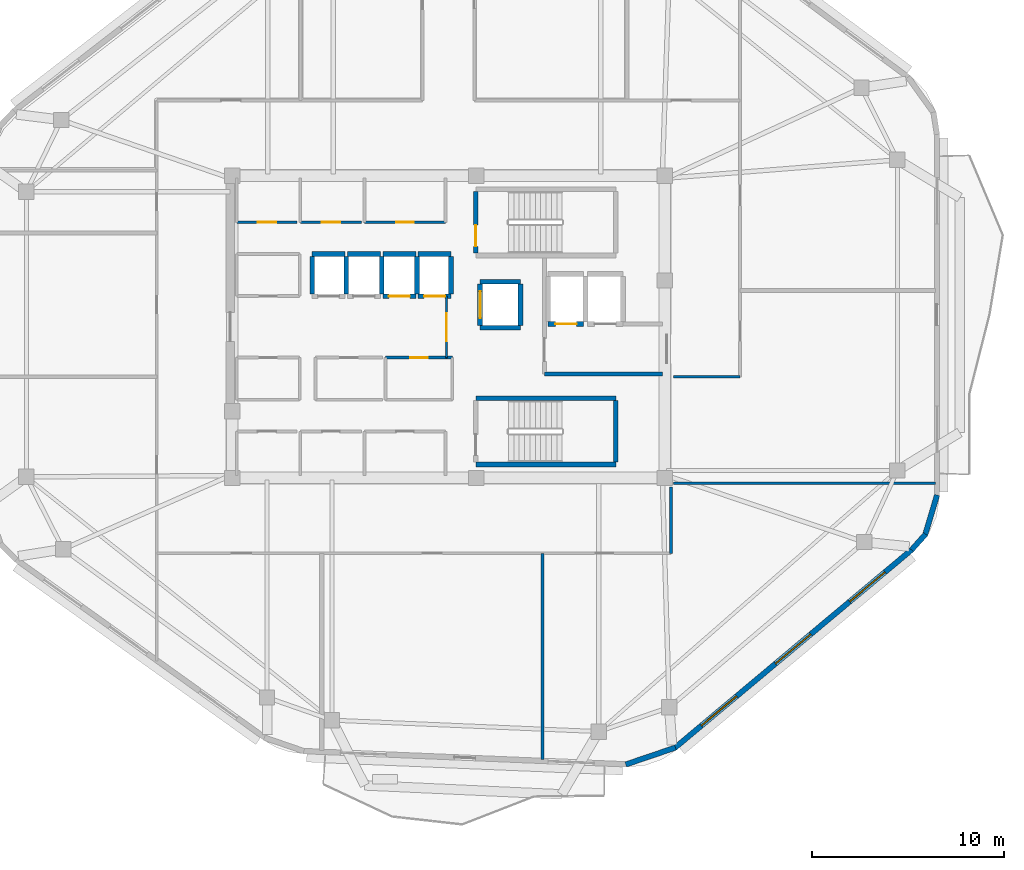
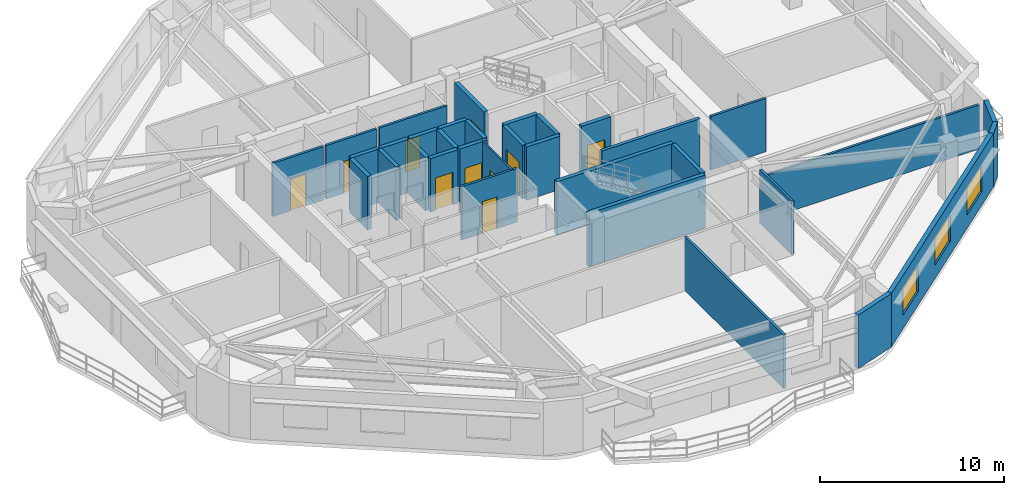
# One storey, part 7 of 12: 34 walls, 10 doors, 3 windows, 13 openings.
"""IFC4 building model written with IfcOpenShell, lengths in metres."""

from ifc_helpers import new_model, si_unit, direction, frame, frame_2d, origin, place, context, subcontext, project, spatial, rectangle, extrude, material, layer, layer_set, type_object, element, fill, save


model = new_model("IFC4")

# Units and contexts
model_context = context("Model", 3, precision=1e-05, world=origin(), true_north=direction((0.0, 1.0)))
body_context = subcontext(model_context, "Body", "Model", "MODEL_VIEW")
ifc_project = project(units=[si_unit("LENGTHUNIT", "METRE"), si_unit("AREAUNIT", "SQUARE_METRE"), si_unit("VOLUMEUNIT", "CUBIC_METRE"), si_unit("PLANEANGLEUNIT", "RADIAN"), si_unit("MASSUNIT", "GRAM", prefix="KILO")], contexts=[model_context])

# Site, building, storey
site_placement = place(None, origin())
site = spatial("IfcSite", under=ifc_project, at=site_placement, CompositionType="ELEMENT")
building_placement = place(site_placement, origin())
building = spatial("IfcBuilding", under=site, at=building_placement, Name="Zulverin Broadcast Headquarters", CompositionType="ELEMENT")
storey_placement = place(building_placement, frame((0.0, 0.0, 293.39990234375)))
storey = spatial("IfcBuildingStorey", under=building, at=storey_placement, Name="L75", CompositionType="ELEMENT", Elevation=293.39990234375)

# Wall, openings, windows
ifc_material_1 = material(Name="Insulated pale-metal clad concrete spandrel C40/50", Category="concrete")
ifc_layer_1 = layer(ifc_material_1, 0.280029296875, Name="Insulated pale-metal clad concrete spandrel C40/50", Category="concrete")
ifc_layer_set_1 = layer_set([ifc_layer_1], Name="Insulated pale-metal clad concrete spandrel C40/50")
wall_type_1 = type_object("IfcWallType", Name="WL-EXT-280", PredefinedType="STANDARD", material=ifc_layer_set_1)
wall_1_placement = place(storey_placement, frame((48.788818359375, 3.249755859375, 0.0), z_axis=(0.0, 0.0, 1.0), x_axis=(0.767032672101, 0.641608042288, 0.0)))
wall_1 = element("IfcWall", 1, at=wall_1_placement, inside=storey, type_object=wall_type_1, Name="L75 Pale-Metal Clad Spandrel Wall 2", PredefinedType="STANDARD", context=body_context, shape_type="SweptSolid", body=[
    extrude(rectangle(XDim=16.11328125, YDim=0.280029296875, at=frame_2d((8.056640625, 0.0))), origin(), (0.0, 0.0, 1.0), 3.5400390625),
])
opening_1_placement = place(wall_1_placement, frame((1.81884765625, 0.0, 0.89990234375)))
opening_1 = element("IfcOpeningElement", 2, at=opening_1_placement, cuts=wall_1, Name="Opening W-L75-E21", PredefinedType="OPENING", context=body_context, shape_type="SweptSolid", body=[
    extrude(rectangle(XDim=2.39990234375, YDim=1.75, at=frame_2d((1.199951171875, 0.875))), frame((0.0, 0.14990234375, 0.0), z_axis=(0.0, -1.0, 0.0), x_axis=(1.0, 0.0, 0.0)), (0.0, 0.0, 1.0), 0.300048828125),
])
opening_2_placement = place(wall_1_placement, frame((6.856689453125, 0.0, 0.89990234375)))
opening_2 = element("IfcOpeningElement", 3, at=opening_2_placement, cuts=wall_1, Name="Opening W-L75-E22", PredefinedType="OPENING", context=body_context, shape_type="SweptSolid", body=[
    extrude(rectangle(XDim=2.39990234375, YDim=1.75, at=frame_2d((1.199951171875, 0.875))), frame((0.0, 0.14990234375, 0.0), z_axis=(0.0, -1.0, 0.0), x_axis=(1.0, 0.0, 0.0)), (0.0, 0.0, 1.0), 0.300048828125),
])
opening_3_placement = place(wall_1_placement, frame((11.89453125, 0.0, 0.89990234375)))
opening_3 = element("IfcOpeningElement", 4, at=opening_3_placement, cuts=wall_1, Name="Opening W-L75-E23", PredefinedType="OPENING", context=body_context, shape_type="SweptSolid", body=[
    extrude(rectangle(XDim=2.39990234375, YDim=1.75, at=frame_2d((1.199951171875, 0.875))), frame((0.0, 0.14990234375, 0.0), z_axis=(0.0, -1.0, 0.0), x_axis=(1.0, 0.0, 0.0)), (0.0, 0.0, 1.0), 0.300048828125),
])
ifc_material_2 = material(Name="Pale anodized aluminium frame with solar-control low-E double glazing", Category="aluminium")
window_type = type_object("IfcWindowType", Name="WIN-RIB-2400", PartitioningType="SINGLE_PANEL", PredefinedType="WINDOW", material=ifc_material_2)
window_1_placement = place(opening_1_placement, origin())
window_1 = element("IfcWindow", 5, at=window_1_placement, inside=storey, type_object=window_type, Name="L75 Ribbon Glazing Window 2 1", OverallHeight=1.75, OverallWidth=2.39990234375, PartitioningType="SINGLE_PANEL", PredefinedType="WINDOW", context=body_context, shape_type="SweptSolid", body=[
    extrude(rectangle(XDim=2.39990234375, YDim=1.75, at=frame_2d((1.199951171875, 0.875))), frame((0.0, 0.030029296875, 0.0), z_axis=(0.0, -1.0, 0.0), x_axis=(1.0, 0.0, 0.0)), (0.0, 0.0, 1.0), 0.06005859375),
])
fill(opening_1, window_1)
window_2_placement = place(opening_2_placement, origin())
window_2 = element("IfcWindow", 6, at=window_2_placement, inside=storey, type_object=window_type, Name="L75 Ribbon Glazing Window 2 2", OverallHeight=1.75, OverallWidth=2.39990234375, PartitioningType="SINGLE_PANEL", PredefinedType="WINDOW", context=body_context, shape_type="SweptSolid", body=[
    extrude(rectangle(XDim=2.39990234375, YDim=1.75, at=frame_2d((1.199951171875, 0.875))), frame((0.0, 0.030029296875, 0.0), z_axis=(0.0, -1.0, 0.0), x_axis=(1.0, 0.0, 0.0)), (0.0, 0.0, 1.0), 0.06005859375),
])
fill(opening_2, window_2)
window_3_placement = place(opening_3_placement, origin())
window_3 = element("IfcWindow", 7, at=window_3_placement, inside=storey, type_object=window_type, Name="L75 Ribbon Glazing Window 2 3", OverallHeight=1.75, OverallWidth=2.39990234375, PartitioningType="SINGLE_PANEL", PredefinedType="WINDOW", context=body_context, shape_type="SweptSolid", body=[
    extrude(rectangle(XDim=2.39990234375, YDim=1.75, at=frame_2d((1.199951171875, 0.875))), frame((0.0, 0.030029296875, 0.0), z_axis=(0.0, -1.0, 0.0), x_axis=(1.0, 0.0, 0.0)), (0.0, 0.0, 1.0), 0.06005859375),
])
fill(opening_3, window_3)

# Walls
wall_2_placement = place(storey_placement, frame((46.239501953125, 2.392822265625, 0.0), z_axis=(0.0, 0.0, 1.0), x_axis=(0.946759165502, 0.321942669643, 0.0)))
element("IfcWall", 8, at=wall_2_placement, inside=storey, type_object=wall_type_1, Name="L75 Wind-Shaped Corner Spandrel Wall 1-1", PredefinedType="STANDARD", context=body_context, shape_type="SweptSolid", body=[
    extrude(rectangle(XDim=2.73974609375, YDim=0.280029296875, at=frame_2d((1.369873046875, 0.0))), origin(), (0.0, 0.0, 1.0), 3.5400390625),
])
wall_3_placement = place(storey_placement, frame((61.133544921875, 13.573974609375, 0.0), z_axis=(0.0, 0.0, 1.0), x_axis=(0.665804679247, 0.74612608123, 0.0)))
element("IfcWall", 9, at=wall_3_placement, inside=storey, type_object=wall_type_1, Name="L75 Wind-Shaped Corner Spandrel Wall 2-1", PredefinedType="STANDARD", context=body_context, shape_type="SweptSolid", body=[
    extrude(rectangle(XDim=1.103271484375, YDim=0.280029296875, at=frame_2d((0.5517578125, 0.0))), origin(), (0.0, 0.0, 1.0), 3.5400390625),
])
wall_4_placement = place(storey_placement, frame((61.838623046875, 14.34423828125, 0.0), z_axis=(0.0, 0.0, 1.0), x_axis=(0.287235049694, 0.957860128739, 0.0)))
element("IfcWall", 10, at=wall_4_placement, inside=storey, type_object=wall_type_1, Name="L75 Wind-Shaped Corner Spandrel Wall 2-2", PredefinedType="STANDARD", context=body_context, shape_type="SweptSolid", body=[
    extrude(rectangle(XDim=2.18359375, YDim=0.280029296875, at=frame_2d((1.091796875, 0.0))), origin(), (0.0, 0.0, 1.0), 3.5400390625),
])
ifc_material_3 = material(Name="Concrete C40/50", Category="concrete")
ifc_layer_2 = layer(ifc_material_3, 0.199951171875, Name="Concrete C40/50", Category="concrete")
ifc_layer_set_2 = layer_set([ifc_layer_2], Name="Concrete C40/50")
wall_type_2 = type_object("IfcWallType", Name="WL-FFL-200", PredefinedType="SOLIDWALL", material=ifc_layer_set_2)
wall_5_placement = place(storey_placement, frame((42.0, 22.75, 0.0), z_axis=(0.0, 0.0, 1.0), x_axis=(1.0, 0.0, 0.0)))
element("IfcWall", 11, at=wall_5_placement, inside=storey, type_object=wall_type_2, Name="L75 Firefighting Lift Lobby South Wall", PredefinedType="SOLIDWALL", context=body_context, shape_type="SweptSolid", body=[
    extrude(rectangle(XDim=6.14990234375, YDim=0.199951171875, at=frame_2d((3.074951171875, 0.0))), origin(), (0.0, 0.0, 1.0), 3.5400390625),
])

# Wall, opening, door
ifc_material_4 = material(Name="Fire-rated acoustic laminated glass screen", Category="glass")
ifc_layer_3 = layer(ifc_material_4, 0.10009765625, Name="Fire-rated acoustic laminated glass screen", Category="glass")
ifc_layer_set_3 = layer_set([ifc_layer_3], Name="Fire-rated acoustic laminated glass screen")
wall_type_3 = type_object("IfcWallType", Name="WL-GLAZ-100", PredefinedType="PARTITIONING", material=ifc_layer_set_3)
wall_6_placement = place(storey_placement, frame((36.89990234375, 23.60009765625, 0.0), z_axis=(0.0, 0.0, 1.0), x_axis=(0.0, 1.0, 0.0)))
wall_6 = element("IfcWall", 12, at=wall_6_placement, inside=storey, type_object=wall_type_3, Name="L75 Core Goods & Stair Hall Screen", PredefinedType="PARTITIONING", context=body_context, shape_type="SweptSolid", body=[
    extrude(rectangle(XDim=3.199951171875, YDim=0.10009765625, at=frame_2d((1.60009765625, 0.0))), origin(), (0.0, 0.0, 1.0), 3.5400390625),
])
opening_4_placement = place(wall_6_placement, frame((0.85009765625, 0.0, 0.0)))
opening_4 = element("IfcOpeningElement", 13, at=opening_4_placement, cuts=wall_6, Name="Opening D-L75-CL3", PredefinedType="OPENING", context=body_context, shape_type="SweptSolid", body=[
    extrude(rectangle(XDim=1.449951171875, YDim=2.1201171875, at=frame_2d((0.72509765625, 1.06005859375))), frame((0.0, 0.06005859375, 0.0), z_axis=(0.0, -1.0, 0.0), x_axis=(1.0, 0.0, 0.0)), (0.0, 0.0, 1.0), 0.1201171875),
])
ifc_material_5 = material(Name="Fire-rated acoustic glazed double leaf", Category="glass")
door_type_1 = type_object("IfcDoorType", Name="DR-GLZ-1450", OperationType="DOUBLE_DOOR_SINGLE_SWING", PredefinedType="DOOR", material=ifc_material_5)
door_1_placement = place(opening_4_placement, origin())
door_1 = element("IfcDoor", 14, at=door_1_placement, inside=storey, type_object=door_type_1, Name="L75 Core Goods & Stair Hall Door", OperationType="DOUBLE_DOOR_SINGLE_SWING", OverallHeight=2.1201171875, OverallWidth=1.449951171875, PredefinedType="DOOR", context=body_context, shape_type="SweptSolid", body=[
    extrude(rectangle(XDim=1.449951171875, YDim=2.1201171875, at=frame_2d((0.72509765625, 1.06005859375))), frame((0.0, 0.02490234375, 0.0), z_axis=(0.0, -1.0, 0.0), x_axis=(1.0, 0.0, 0.0)), (0.0, 0.0, 1.0), 0.050048828125),
])
fill(opening_4, door_1)

ifc_material_6 = material(Name="Fire-rated gypsum stud partition", Category="gypsum")
ifc_layer_4 = layer(ifc_material_6, 0.14990234375, Name="Fire-rated gypsum stud partition", Category="gypsum")
ifc_layer_set_4 = layer_set([ifc_layer_4], Name="Fire-rated gypsum stud partition")
wall_type_4 = type_object("IfcWallType", Name="WL-PART-150", PredefinedType="PARTITIONING", material=ifc_layer_set_4)
wall_7_placement = place(storey_placement, frame((25.969970703125, 30.64990234375, 0.0), z_axis=(0.0, 0.0, 1.0), x_axis=(1.0, 0.0, 0.0)))
wall_7 = element("IfcWall", 15, at=wall_7_placement, inside=storey, type_object=wall_type_4, Name="L75 Core Male WC Front Wall", PredefinedType="PARTITIONING", context=body_context, shape_type="SweptSolid", body=[
    extrude(rectangle(XDim=3.150146484375, YDim=0.14990234375, at=frame_2d((1.5751953125, 0.0))), origin(), (0.0, 0.0, 1.0), 3.5400390625),
])
opening_5_placement = place(wall_7_placement, frame((1.10009765625, 0.0, 0.0)))
opening_5 = element("IfcOpeningElement", 16, at=opening_5_placement, cuts=wall_7, Name="Opening D-L75-NC1", PredefinedType="OPENING", context=body_context, shape_type="SweptSolid", body=[
    extrude(rectangle(XDim=0.949951171875, YDim=2.10009765625, at=frame_2d((0.47509765625, 1.050048828125))), frame((0.0, 0.0849609375, 0.0), z_axis=(0.0, -1.0, 0.0), x_axis=(1.0, 0.0, 0.0)), (0.0, 0.0, 1.0), 0.169921875),
])
ifc_material_7 = material(Name="Fire-rated moisture-resistant laminate leaf", Category="wood")
door_type_2 = type_object("IfcDoorType", Name="DR-WC-950", OperationType="SINGLE_SWING_LEFT", PredefinedType="DOOR", material=ifc_material_7)
door_2_placement = place(opening_5_placement, origin())
door_2 = element("IfcDoor", 17, at=door_2_placement, inside=storey, type_object=door_type_2, Name="L75 Male WC Door", OperationType="SINGLE_SWING_LEFT", OverallHeight=2.10009765625, OverallWidth=0.949951171875, PredefinedType="DOOR", context=body_context, shape_type="SweptSolid", body=[
    extrude(rectangle(XDim=0.949951171875, YDim=2.10009765625, at=frame_2d((0.47509765625, 1.050048828125))), frame((0.0, 0.02490234375, 0.0), z_axis=(0.0, -1.0, 0.0), x_axis=(1.0, 0.0, 0.0)), (0.0, 0.0, 1.0), 0.050048828125),
])
fill(opening_5, door_2)

wall_8_placement = place(storey_placement, frame((29.280029296875, 30.64990234375, 0.0), z_axis=(0.0, 0.0, 1.0), x_axis=(1.0, 0.0, 0.0)))
wall_8 = element("IfcWall", 18, at=wall_8_placement, inside=storey, type_object=wall_type_4, Name="L75 Core Accessible WC Front Wall", PredefinedType="PARTITIONING", context=body_context, shape_type="SweptSolid", body=[
    extrude(rectangle(XDim=3.18994140625, YDim=0.14990234375, at=frame_2d((1.594970703125, 0.0))), origin(), (0.0, 0.0, 1.0), 3.5400390625),
])
opening_6_placement = place(wall_8_placement, frame((1.1201171875, 0.0, 0.0)))
opening_6 = element("IfcOpeningElement", 19, at=opening_6_placement, cuts=wall_8, Name="Opening D-L75-NC2", PredefinedType="OPENING", context=body_context, shape_type="SweptSolid", body=[
    extrude(rectangle(XDim=0.949951171875, YDim=2.10009765625, at=frame_2d((0.47509765625, 1.050048828125))), frame((0.0, 0.0849609375, 0.0), z_axis=(0.0, -1.0, 0.0), x_axis=(1.0, 0.0, 0.0)), (0.0, 0.0, 1.0), 0.169921875),
])
door_3_placement = place(opening_6_placement, origin())
door_3 = element("IfcDoor", 20, at=door_3_placement, inside=storey, type_object=door_type_2, Name="L75 Accessible WC Door", OperationType="SINGLE_SWING_RIGHT", OverallHeight=2.10009765625, OverallWidth=0.949951171875, PredefinedType="DOOR", context=body_context, shape_type="SweptSolid", body=[
    extrude(rectangle(XDim=0.949951171875, YDim=2.10009765625, at=frame_2d((0.47509765625, 1.050048828125))), frame((0.0, 0.02490234375, 0.0), z_axis=(0.0, -1.0, 0.0), x_axis=(1.0, 0.0, 0.0)), (0.0, 0.0, 1.0), 0.050048828125),
])
fill(opening_6, door_3)

wall_9_placement = place(storey_placement, frame((32.6298828125, 30.64990234375, 0.0), z_axis=(0.0, 0.0, 1.0), x_axis=(1.0, 0.0, 0.0)))
wall_9 = element("IfcWall", 21, at=wall_9_placement, inside=storey, type_object=wall_type_4, Name="L75 Core Electrical Distribution Riser Front Wall", PredefinedType="PARTITIONING", context=body_context, shape_type="SweptSolid", body=[
    extrude(rectangle(XDim=4.22021484375, YDim=0.14990234375, at=frame_2d((2.110107421875, 0.0))), origin(), (0.0, 0.0, 1.0), 3.5400390625),
])
opening_7_placement = place(wall_9_placement, frame((1.659912109375, 0.0, 0.0)))
opening_7 = element("IfcOpeningElement", 22, at=opening_7_placement, cuts=wall_9, Name="Opening D-L75-NC3", PredefinedType="OPENING", context=body_context, shape_type="SweptSolid", body=[
    extrude(rectangle(XDim=0.89990234375, YDim=2.10009765625, at=frame_2d((0.449951171875, 1.050048828125))), frame((0.0, 0.0849609375, 0.0), z_axis=(0.0, -1.0, 0.0), x_axis=(1.0, 0.0, 0.0)), (0.0, 0.0, 1.0), 0.169921875),
])
ifc_material_8 = material(Name="Powder-coated steel access leaf", Category="steel")
door_type_3 = type_object("IfcDoorType", Name="DR-RISER-900", OperationType="SINGLE_SWING_LEFT", PredefinedType="DOOR", material=ifc_material_8)
door_4_placement = place(opening_7_placement, origin())
door_4 = element("IfcDoor", 23, at=door_4_placement, inside=storey, type_object=door_type_3, Name="L75 Electrical Distribution Riser Door", OperationType="SINGLE_SWING_LEFT", OverallHeight=2.10009765625, OverallWidth=0.89990234375, PredefinedType="DOOR", context=body_context, shape_type="SweptSolid", body=[
    extrude(rectangle(XDim=0.89990234375, YDim=2.10009765625, at=frame_2d((0.449951171875, 1.050048828125))), frame((0.0, 0.02490234375, 0.0), z_axis=(0.0, -1.0, 0.0), x_axis=(1.0, 0.0, 0.0)), (0.0, 0.0, 1.0), 0.050048828125),
])
fill(opening_7, door_4)

wall_10_placement = place(storey_placement, frame((33.719970703125, 23.60009765625, 0.0), z_axis=(0.0, 0.0, 1.0), x_axis=(1.0, 0.0, 0.0)))
wall_10 = element("IfcWall", 24, at=wall_10_placement, inside=storey, type_object=wall_type_4, Name="L75 Executive Floor Pantry Store N Wall", PredefinedType="PARTITIONING", context=body_context, shape_type="SweptSolid", body=[
    extrude(rectangle(XDim=3.47998046875, YDim=0.14990234375, at=frame_2d((1.739990234375, 0.0))), origin(), (0.0, 0.0, 1.0), 3.5400390625),
])
opening_8_placement = place(wall_10_placement, frame((1.2900390625, 0.0, 0.0)))
opening_8 = element("IfcOpeningElement", 25, at=opening_8_placement, cuts=wall_10, Name="Opening D-L75-RM2", PredefinedType="OPENING", context=body_context, shape_type="SweptSolid", body=[
    extrude(rectangle(XDim=0.89990234375, YDim=2.10009765625, at=frame_2d((0.449951171875, 1.050048828125))), frame((0.0, 0.0849609375, 0.0), z_axis=(0.0, -1.0, 0.0), x_axis=(1.0, 0.0, 0.0)), (0.0, 0.0, 1.0), 0.169921875),
])
door_5_placement = place(opening_8_placement, origin())
door_5 = element("IfcDoor", 26, at=door_5_placement, inside=storey, type_object=door_type_3, Name="L75 Executive Floor Pantry Store Door", OperationType="SINGLE_SWING_RIGHT", OverallHeight=2.10009765625, OverallWidth=0.89990234375, PredefinedType="DOOR", context=body_context, shape_type="SweptSolid", body=[
    extrude(rectangle(XDim=0.89990234375, YDim=2.10009765625, at=frame_2d((0.449951171875, 1.050048828125))), frame((0.0, 0.02490234375, 0.0), z_axis=(0.0, -1.0, 0.0), x_axis=(1.0, 0.0, 0.0)), (0.0, 0.0, 1.0), 0.050048828125),
])
fill(opening_8, door_5)

# Walls
wall_11_placement = place(storey_placement, frame((48.60009765625, 13.39990234375, 0.0), z_axis=(0.0, 0.0, 1.0), x_axis=(0.0, 1.0, 0.0)))
element("IfcWall", 27, at=wall_11_placement, inside=storey, type_object=wall_type_4, Name="L75 Gallery Partition Wall CG-02", PredefinedType="PARTITIONING", context=body_context, shape_type="SweptSolid", body=[
    extrude(rectangle(XDim=3.460205078125, YDim=0.14990234375, at=frame_2d((1.72998046875, 0.0))), origin(), (0.0, 0.0, 1.0), 3.5400390625),
])
wall_12_placement = place(storey_placement, frame((41.89990234375, 2.6455078125, 0.0), z_axis=(0.0, 0.0, 1.0), x_axis=(0.0, 1.0, 0.0)))
element("IfcWall", 28, at=wall_12_placement, inside=storey, type_object=wall_type_4, Name="L75 Room Partition Wall RP-04", PredefinedType="PARTITIONING", context=body_context, shape_type="SweptSolid", body=[
    extrude(rectangle(XDim=10.75439453125, YDim=0.14990234375, at=frame_2d((5.377197265625, 0.0))), origin(), (0.0, 0.0, 1.0), 3.5400390625),
])
wall_13_placement = place(storey_placement, frame((48.739990234375, 17.050048828125, 0.0), z_axis=(0.0, 0.0, 1.0), x_axis=(1.0, 0.0, 0.0)))
element("IfcWall", 29, at=wall_13_placement, inside=storey, type_object=wall_type_4, Name="L75 Room Partition Wall RP-11", PredefinedType="PARTITIONING", context=body_context, shape_type="SweptSolid", body=[
    extrude(rectangle(XDim=13.655029296875, YDim=0.14990234375, at=frame_2d((6.82763671875, 0.0))), origin(), (0.0, 0.0, 1.0), 2.9228515625),
])
wall_14_placement = place(storey_placement, frame((48.739990234375, 22.60009765625, 0.0), z_axis=(0.0, 0.0, 1.0), x_axis=(1.0, 0.0, 0.0)))
element("IfcWall", 30, at=wall_14_placement, inside=storey, type_object=wall_type_4, Name="L75 Gallery Partition Wall CG-13", PredefinedType="PARTITIONING", context=body_context, shape_type="SweptSolid", body=[
    extrude(rectangle(XDim=3.4599609375, YDim=0.14990234375, at=frame_2d((1.72998046875, 0.0))), origin(), (0.0, 0.0, 1.0), 3.5400390625),
])

# Wall, opening, door
ifc_material_9 = material(Name="Concrete C50/60", Category="concrete")
ifc_layer_5 = layer(ifc_material_9, 0.25, Name="Concrete C50/60", Category="concrete")
ifc_layer_set_5 = layer_set([ifc_layer_5], Name="Concrete C50/60")
wall_type_5 = type_object("IfcWallType", Name="WL-SHAFT-250", PredefinedType="SHEAR", material=ifc_layer_set_5)
wall_15_placement = place(storey_placement, frame((38.425048828125, 29.050048828125, 0.0), z_axis=(0.0, 0.0, 1.0), x_axis=(0.0, 1.0, 0.0)))
wall_15 = element("IfcWall", 31, at=wall_15_placement, inside=storey, type_object=wall_type_5, Name="L75 ST-1 Enclosure Wall W", PredefinedType="SHEAR", context=body_context, shape_type="SweptSolid", body=[
    extrude(rectangle(XDim=3.199951171875, YDim=0.25, at=frame_2d((1.60009765625, 0.0))), origin(), (0.0, 0.0, 1.0), 3.5400390625),
])
opening_9_placement = place(wall_15_placement, frame((0.35009765625, 0.0, 0.0)))
opening_9 = element("IfcOpeningElement", 32, at=opening_9_placement, cuts=wall_15, Name="Opening D-L75-ST-1", PredefinedType="OPENING", context=body_context, shape_type="SweptSolid", body=[
    extrude(rectangle(XDim=1.10009765625, YDim=2.14990234375, at=frame_2d((0.550048828125, 1.074951171875))), frame((0.0, 0.135009765625, 0.0), z_axis=(0.0, -1.0, 0.0), x_axis=(1.0, 0.0, 0.0)), (0.0, 0.0, 1.0), 0.27001953125),
])
ifc_material_10 = material(Name="Fire-rated steel leaf and frame", Category="steel")
door_type_4 = type_object("IfcDoorType", Name="DR-STAIR-1100", OperationType="SINGLE_SWING_LEFT", PredefinedType="DOOR", material=ifc_material_10)
door_6_placement = place(opening_9_placement, origin())
door_6 = element("IfcDoor", 33, at=door_6_placement, inside=storey, type_object=door_type_4, Name="L75 Exit Stair ST-1 Fire Door", OperationType="SINGLE_SWING_LEFT", OverallHeight=2.14990234375, OverallWidth=1.10009765625, PredefinedType="DOOR", context=body_context, shape_type="SweptSolid", body=[
    extrude(rectangle(XDim=1.10009765625, YDim=2.14990234375, at=frame_2d((0.550048828125, 1.074951171875))), frame((0.0, 0.02490234375, 0.0), z_axis=(0.0, -1.0, 0.0), x_axis=(1.0, 0.0, 0.0)), (0.0, 0.0, 1.0), 0.050048828125),
])
fill(opening_9, door_6)

# Walls
for number, where, z_axis, x_axis, name in (
    (34, (38.425048828125, 18.02490234375, 0.0), (0.0, 0.0, 1.0), (1.0, 0.0, 0.0), "L75 ST-2 Enclosure Wall S"),
    (35, (38.425048828125, 21.47509765625, 0.0), (0.0, 0.0, 1.0), (1.0, 0.0, 0.0), "L75 ST-2 Enclosure Wall N"),
):
    element("IfcWall", number, at=place(storey_placement, frame(where, z_axis=z_axis, x_axis=x_axis)), inside=storey, type_object=wall_type_5, Name=name, PredefinedType="SHEAR", context=body_context, shape_type="SweptSolid", body=[
        extrude(rectangle(XDim=7.300048828125, YDim=0.25, at=frame_2d((3.64990234375, 0.0))), origin(), (0.0, 0.0, 1.0), 3.5400390625),
    ])
wall_16_placement = place(storey_placement, frame((45.72509765625, 18.14990234375, 0.0), z_axis=(0.0, 0.0, 1.0), x_axis=(0.0, 1.0, 0.0)))
element("IfcWall", 36, at=wall_16_placement, inside=storey, type_object=wall_type_5, Name="L75 ST-2 Enclosure Wall E", PredefinedType="SHEAR", context=body_context, shape_type="SweptSolid", body=[
    extrude(rectangle(XDim=3.2001953125, YDim=0.25, at=frame_2d((1.60009765625, 0.0))), origin(), (0.0, 0.0, 1.0), 3.5400390625),
])
wall_17_placement = place(storey_placement, frame((29.89990234375, 29.0, 0.0), z_axis=(0.0, 0.0, 1.0), x_axis=(1.0, 0.0, 0.0)))
element("IfcWall", 37, at=wall_17_placement, inside=storey, type_object=wall_type_5, Name="L75 Lift PL-H1 Shaft Wall N", PredefinedType="SHEAR", context=body_context, shape_type="SweptSolid", body=[
    extrude(rectangle(XDim=1.72021484375, YDim=0.25, at=frame_2d((0.860107421875, 0.0))), origin(), (0.0, 0.0, 1.0), 3.5400390625),
])
for number, where, z_axis, x_axis, name in (
    (38, (29.89990234375, 26.919921875, 0.0), (0.0, 0.0, 1.0), (0.0, 1.0, 0.0), "L75 Lift PL-H1 Shaft Wall W"),
    (39, (31.679931640625, 26.919921875, 0.0), (0.0, 0.0, 1.0), (0.0, 1.0, 0.0), "L75 Lift PL-H1 Shaft Wall E"),
):
    element("IfcWall", number, at=place(storey_placement, frame(where, z_axis=z_axis, x_axis=x_axis)), inside=storey, type_object=wall_type_5, Name=name, PredefinedType="SHEAR", context=body_context, shape_type="SweptSolid", body=[
        extrude(rectangle(XDim=1.9599609375, YDim=0.25, at=frame_2d((0.97998046875, 0.0))), origin(), (0.0, 0.0, 1.0), 3.5400390625),
    ])
wall_18_placement = place(storey_placement, frame((31.739990234375, 29.0, 0.0), z_axis=(0.0, 0.0, 1.0), x_axis=(1.0, 0.0, 0.0)))
element("IfcWall", 40, at=wall_18_placement, inside=storey, type_object=wall_type_5, Name="L75 Lift PL-H2 Shaft Wall N", PredefinedType="SHEAR", context=body_context, shape_type="SweptSolid", body=[
    extrude(rectangle(XDim=1.719970703125, YDim=0.25, at=frame_2d((0.85986328125, 0.0))), origin(), (0.0, 0.0, 1.0), 3.5400390625),
])
wall_19_placement = place(storey_placement, frame((33.52001953125, 26.919921875, 0.0), z_axis=(0.0, 0.0, 1.0), x_axis=(0.0, 1.0, 0.0)))
element("IfcWall", 41, at=wall_19_placement, inside=storey, type_object=wall_type_5, Name="L75 Lift PL-H2 Shaft Wall E", PredefinedType="SHEAR", context=body_context, shape_type="SweptSolid", body=[
    extrude(rectangle(XDim=1.9599609375, YDim=0.25, at=frame_2d((0.97998046875, 0.0))), origin(), (0.0, 0.0, 1.0), 3.5400390625),
])

# Wall, opening, door
wall_20_placement = place(storey_placement, frame((33.580078125, 26.800048828125, 0.0), z_axis=(0.0, 0.0, 1.0), x_axis=(1.0, 0.0, 0.0)))
wall_20 = element("IfcWall", 42, at=wall_20_placement, inside=storey, type_object=wall_type_5, Name="L75 Lift PL-H3 Shaft Wall S", PredefinedType="SHEAR", context=body_context, shape_type="SweptSolid", body=[
    extrude(rectangle(XDim=1.719970703125, YDim=0.25, at=frame_2d((0.85986328125, 0.0))), origin(), (0.0, 0.0, 1.0), 3.5400390625),
])
opening_10_placement = place(wall_20_placement, frame((0.31005859375, 0.0, 0.0)))
opening_10 = element("IfcOpeningElement", 43, at=opening_10_placement, cuts=wall_20, Name="Opening LD-PL-H3-L75", PredefinedType="OPENING", context=body_context, shape_type="SweptSolid", body=[
    extrude(rectangle(XDim=1.10009765625, YDim=2.14990234375, at=frame_2d((0.550048828125, 1.074951171875))), frame((0.0, 0.135009765625, 0.0), z_axis=(0.0, -1.0, 0.0), x_axis=(1.0, 0.0, 0.0)), (0.0, 0.0, 1.0), 0.27001953125),
])
ifc_material_11 = material(Name="Brushed stainless steel landing", Category="steel")
door_type_5 = type_object("IfcDoorType", Name="LD-PASS-1100", OperationType="DOUBLE_DOOR_SLIDING", PredefinedType="DOOR", material=ifc_material_11)
door_7_placement = place(opening_10_placement, origin())
door_7 = element("IfcDoor", 44, at=door_7_placement, inside=storey, type_object=door_type_5, Name="L75 Lift PL-H3 Sliding Landing Door", OperationType="DOUBLE_DOOR_SLIDING", OverallHeight=2.14990234375, OverallWidth=1.10009765625, PredefinedType="DOOR", context=body_context, shape_type="SweptSolid", body=[
    extrude(rectangle(XDim=1.10009765625, YDim=2.14990234375, at=frame_2d((0.550048828125, 1.074951171875))), frame((0.0, 0.02490234375, 0.0), z_axis=(0.0, -1.0, 0.0), x_axis=(1.0, 0.0, 0.0)), (0.0, 0.0, 1.0), 0.050048828125),
])
fill(opening_10, door_7)

# Walls
wall_21_placement = place(storey_placement, frame((33.580078125, 29.0, 0.0), z_axis=(0.0, 0.0, 1.0), x_axis=(1.0, 0.0, 0.0)))
element("IfcWall", 45, at=wall_21_placement, inside=storey, type_object=wall_type_5, Name="L75 Lift PL-H3 Shaft Wall N", PredefinedType="SHEAR", context=body_context, shape_type="SweptSolid", body=[
    extrude(rectangle(XDim=1.719970703125, YDim=0.25, at=frame_2d((0.85986328125, 0.0))), origin(), (0.0, 0.0, 1.0), 3.5400390625),
])
wall_22_placement = place(storey_placement, frame((35.360107421875, 26.919921875, 0.0), z_axis=(0.0, 0.0, 1.0), x_axis=(0.0, 1.0, 0.0)))
element("IfcWall", 46, at=wall_22_placement, inside=storey, type_object=wall_type_5, Name="L75 Lift PL-H3 Shaft Wall E", PredefinedType="SHEAR", context=body_context, shape_type="SweptSolid", body=[
    extrude(rectangle(XDim=1.9599609375, YDim=0.25, at=frame_2d((0.97998046875, 0.0))), origin(), (0.0, 0.0, 1.0), 3.5400390625),
])

# Wall, opening, door
wall_23_placement = place(storey_placement, frame((35.419921875, 26.800048828125, 0.0), z_axis=(0.0, 0.0, 1.0), x_axis=(1.0, 0.0, 0.0)))
wall_23 = element("IfcWall", 47, at=wall_23_placement, inside=storey, type_object=wall_type_5, Name="L75 Lift PL-H4 Shaft Wall S", PredefinedType="SHEAR", context=body_context, shape_type="SweptSolid", body=[
    extrude(rectangle(XDim=1.719970703125, YDim=0.25, at=frame_2d((0.85986328125, 0.0))), origin(), (0.0, 0.0, 1.0), 3.5400390625),
])
opening_11_placement = place(wall_23_placement, frame((0.31005859375, 0.0, 0.0)))
opening_11 = element("IfcOpeningElement", 48, at=opening_11_placement, cuts=wall_23, Name="Opening LD-PL-H4-L75", PredefinedType="OPENING", context=body_context, shape_type="SweptSolid", body=[
    extrude(rectangle(XDim=1.10009765625, YDim=2.14990234375, at=frame_2d((0.550048828125, 1.074951171875))), frame((0.0, 0.135009765625, 0.0), z_axis=(0.0, -1.0, 0.0), x_axis=(1.0, 0.0, 0.0)), (0.0, 0.0, 1.0), 0.27001953125),
])
door_8_placement = place(opening_11_placement, origin())
door_8 = element("IfcDoor", 49, at=door_8_placement, inside=storey, type_object=door_type_5, Name="L75 Lift PL-H4 Sliding Landing Door", OperationType="DOUBLE_DOOR_SLIDING", OverallHeight=2.14990234375, OverallWidth=1.10009765625, PredefinedType="DOOR", context=body_context, shape_type="SweptSolid", body=[
    extrude(rectangle(XDim=1.10009765625, YDim=2.14990234375, at=frame_2d((0.550048828125, 1.074951171875))), frame((0.0, 0.02490234375, 0.0), z_axis=(0.0, -1.0, 0.0), x_axis=(1.0, 0.0, 0.0)), (0.0, 0.0, 1.0), 0.050048828125),
])
fill(opening_11, door_8)

# Walls
wall_24_placement = place(storey_placement, frame((35.419921875, 29.0, 0.0), z_axis=(0.0, 0.0, 1.0), x_axis=(1.0, 0.0, 0.0)))
element("IfcWall", 50, at=wall_24_placement, inside=storey, type_object=wall_type_5, Name="L75 Lift PL-H4 Shaft Wall N", PredefinedType="SHEAR", context=body_context, shape_type="SweptSolid", body=[
    extrude(rectangle(XDim=1.719970703125, YDim=0.25, at=frame_2d((0.85986328125, 0.0))), origin(), (0.0, 0.0, 1.0), 3.5400390625),
])
wall_25_placement = place(storey_placement, frame((37.139892578125, 26.919921875, 0.0), z_axis=(0.0, 0.0, 1.0), x_axis=(0.0, 1.0, 0.0)))
element("IfcWall", 51, at=wall_25_placement, inside=storey, type_object=wall_type_5, Name="L75 Lift PL-H4 Shaft Wall E", PredefinedType="SHEAR", context=body_context, shape_type="SweptSolid", body=[
    extrude(rectangle(XDim=1.9599609375, YDim=0.25, at=frame_2d((0.97998046875, 0.0))), origin(), (0.0, 0.0, 1.0), 3.5400390625),
])

# Wall, opening, door
wall_26_placement = place(storey_placement, frame((42.199951171875, 25.35009765625, 0.0), z_axis=(0.0, 0.0, 1.0), x_axis=(1.0, 0.0, 0.0)))
wall_26 = element("IfcWall", 52, at=wall_26_placement, inside=storey, type_object=wall_type_5, Name="L75 Lift FFL-1 Shaft Wall S", PredefinedType="SHEAR", context=body_context, shape_type="SweptSolid", body=[
    extrude(rectangle(XDim=1.85009765625, YDim=0.25, at=frame_2d((0.925048828125, 0.0))), origin(), (0.0, 0.0, 1.0), 3.5400390625),
])
opening_12_placement = place(wall_26_placement, frame((0.375, 0.0, 0.0)))
opening_12 = element("IfcOpeningElement", 53, at=opening_12_placement, cuts=wall_26, Name="Opening LD-FFL-1-L75", PredefinedType="OPENING", context=body_context, shape_type="SweptSolid", body=[
    extrude(rectangle(XDim=1.10009765625, YDim=2.14990234375, at=frame_2d((0.550048828125, 1.074951171875))), frame((0.0, 0.135009765625, 0.0), z_axis=(0.0, -1.0, 0.0), x_axis=(1.0, 0.0, 0.0)), (0.0, 0.0, 1.0), 0.27001953125),
])
ifc_material_12 = material(Name="Fire-rated stainless landing door", Category="steel")
door_type_6 = type_object("IfcDoorType", Name="LD-FFL-1100", OperationType="DOUBLE_DOOR_SLIDING", PredefinedType="DOOR", material=ifc_material_12)
door_9_placement = place(opening_12_placement, origin())
door_9 = element("IfcDoor", 54, at=door_9_placement, inside=storey, type_object=door_type_6, Name="L75 Lift FFL-1 Sliding Landing Door", OperationType="DOUBLE_DOOR_SLIDING", OverallHeight=2.14990234375, OverallWidth=1.10009765625, PredefinedType="DOOR", context=body_context, shape_type="SweptSolid", body=[
    extrude(rectangle(XDim=1.10009765625, YDim=2.14990234375, at=frame_2d((0.550048828125, 1.074951171875))), frame((0.0, 0.02490234375, 0.0), z_axis=(0.0, -1.0, 0.0), x_axis=(1.0, 0.0, 0.0)), (0.0, 0.0, 1.0), 0.050048828125),
])
fill(opening_12, door_9)

# Walls
for number, where, z_axis, x_axis, name in (
    (55, (38.64990234375, 25.14990234375, 0.0), (0.0, 0.0, 1.0), (1.0, 0.0, 0.0), "L75 Lift SVL-1 Shaft Wall S"),
    (56, (38.64990234375, 27.550048828125, 0.0), (0.0, 0.0, 1.0), (1.0, 0.0, 0.0), "L75 Lift SVL-1 Shaft Wall N"),
):
    element("IfcWall", number, at=place(storey_placement, frame(where, z_axis=z_axis, x_axis=x_axis)), inside=storey, type_object=wall_type_5, Name=name, PredefinedType="SHEAR", context=body_context, shape_type="SweptSolid", body=[
        extrude(rectangle(XDim=2.10009765625, YDim=0.25, at=frame_2d((1.050048828125, 0.0))), origin(), (0.0, 0.0, 1.0), 3.5400390625),
    ])

# Wall, opening, door
wall_27_placement = place(storey_placement, frame((38.64990234375, 25.27001953125, 0.0), z_axis=(0.0, 0.0, 1.0), x_axis=(0.0, 1.0, 0.0)))
wall_27 = element("IfcWall", 57, at=wall_27_placement, inside=storey, type_object=wall_type_5, Name="L75 Lift SVL-1 Shaft Wall W", PredefinedType="SHEAR", context=body_context, shape_type="SweptSolid", body=[
    extrude(rectangle(XDim=2.159912109375, YDim=0.25, at=frame_2d((1.080078125, 0.0))), origin(), (0.0, 0.0, 1.0), 3.5400390625),
])
opening_13_placement = place(wall_27_placement, frame((0.3798828125, 0.0, 0.0)))
opening_13 = element("IfcOpeningElement", 58, at=opening_13_placement, cuts=wall_27, Name="Opening LD-SVL-1-L75", PredefinedType="OPENING", context=body_context, shape_type="SweptSolid", body=[
    extrude(rectangle(XDim=1.39990234375, YDim=2.199951171875, at=frame_2d((0.699951171875, 1.10009765625))), frame((0.0, 0.135009765625, 0.0), z_axis=(0.0, -1.0, 0.0), x_axis=(1.0, 0.0, 0.0)), (0.0, 0.0, 1.0), 0.27001953125),
])
ifc_material_13 = material(Name="Heavy-duty stainless landing door", Category="steel")
door_type_7 = type_object("IfcDoorType", Name="LD-GOODS-1400", OperationType="DOUBLE_DOOR_SLIDING", PredefinedType="DOOR", material=ifc_material_13)
door_10_placement = place(opening_13_placement, origin())
door_10 = element("IfcDoor", 59, at=door_10_placement, inside=storey, type_object=door_type_7, Name="L75 Lift SVL-1 Sliding Landing Door", OperationType="DOUBLE_DOOR_SLIDING", OverallHeight=2.199951171875, OverallWidth=1.39990234375, PredefinedType="DOOR", context=body_context, shape_type="SweptSolid", body=[
    extrude(rectangle(XDim=1.39990234375, YDim=2.199951171875, at=frame_2d((0.699951171875, 1.10009765625))), frame((0.0, 0.02490234375, 0.0), z_axis=(0.0, -1.0, 0.0), x_axis=(1.0, 0.0, 0.0)), (0.0, 0.0, 1.0), 0.050048828125),
])
fill(opening_13, door_10)

# Wall
wall_28_placement = place(storey_placement, frame((40.75, 25.27001953125, 0.0), z_axis=(0.0, 0.0, 1.0), x_axis=(0.0, 1.0, 0.0)))
element("IfcWall", 60, at=wall_28_placement, inside=storey, type_object=wall_type_5, Name="L75 Lift SVL-1 Shaft Wall E", PredefinedType="SHEAR", context=body_context, shape_type="SweptSolid", body=[
    extrude(rectangle(XDim=2.159912109375, YDim=0.25, at=frame_2d((1.080078125, 0.0))), origin(), (0.0, 0.0, 1.0), 3.5400390625),
])

save(model, "model.ifc")
